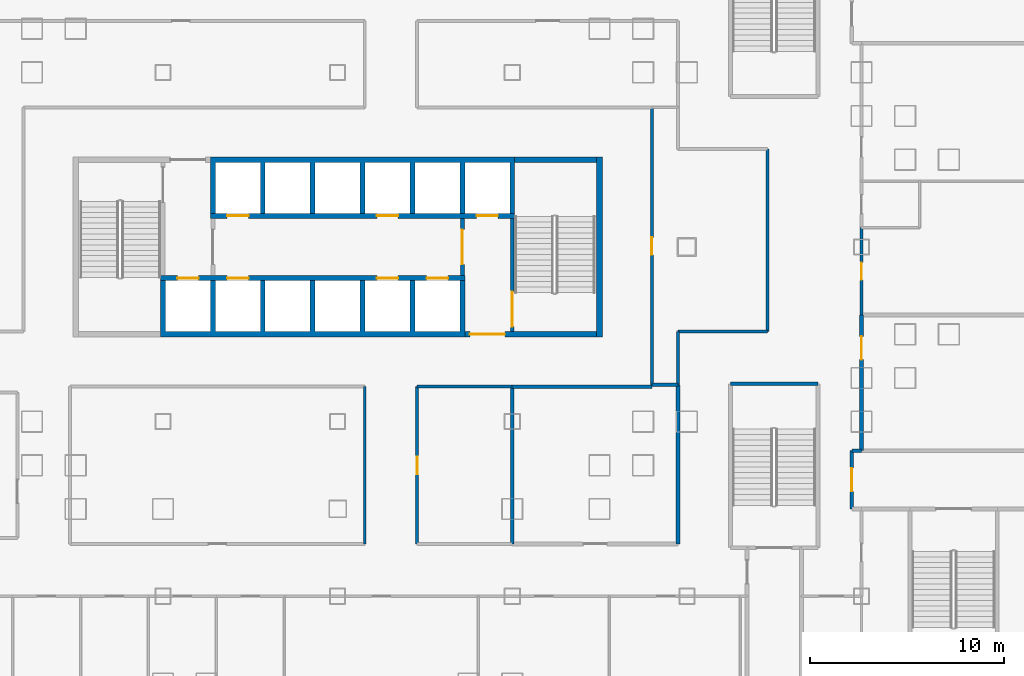
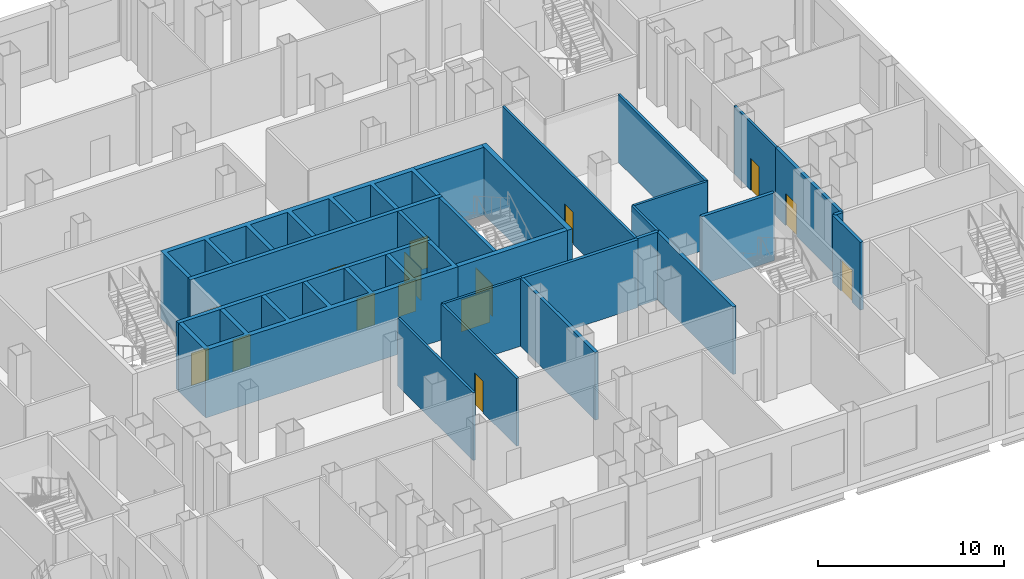
# One storey, part 5 of 23: 25 walls, 15 doors, 15 openings.
"""IFC4 building model written with IfcOpenShell, lengths in metres."""

from ifc_helpers import new_model, si_unit, direction, frame, frame_2d, origin, place, context, subcontext, project, spatial, polyline, rectangle, outline, extrude, material, layer, layer_set, type_object, element, fill, save


model = new_model("IFC4")

# Units and contexts
model_context = context("Model", 3, precision=1e-05, world=origin(), true_north=direction((0.0, 1.0)))
body_context = subcontext(model_context, "Body", "Model", "MODEL_VIEW")
ifc_project = project(units=[si_unit("LENGTHUNIT", "METRE"), si_unit("AREAUNIT", "SQUARE_METRE"), si_unit("VOLUMEUNIT", "CUBIC_METRE"), si_unit("PLANEANGLEUNIT", "RADIAN"), si_unit("MASSUNIT", "GRAM", prefix="KILO")], contexts=[model_context])

# Site, building, storey
site_placement = place(None, origin())
site = spatial("IfcSite", under=ifc_project, at=site_placement, CompositionType="ELEMENT")
building_placement = place(site_placement, origin())
building = spatial("IfcBuilding", under=site, at=building_placement, Name="Caravel Reach Hotel and Residences", CompositionType="ELEMENT")
storey_placement = place(building_placement, frame((0.0, 0.0, 24.0)))
storey = spatial("IfcBuildingStorey", under=building, at=storey_placement, Name="L04", CompositionType="ELEMENT", Elevation=24.0)

# Walls
ifc_material_1 = material(Name="Autoclaved aerated block wall")
ifc_layer_1 = layer(ifc_material_1, 0.199951171875)
ifc_layer_set_1 = layer_set([ifc_layer_1], Name="Compartment wall 200 mm EI 120")
wall_type_1 = type_object("IfcWallType", Name="Compartment wall 200 mm EI 120", PredefinedType="PARTITIONING", material=ifc_layer_set_1)
wall_1_placement = place(storey_placement, frame((58.0, 16.5, 0.0), z_axis=(0.0, 0.0, 1.0), x_axis=(1.0, 0.0, 0.0)))
element("IfcWall", 1, at=wall_1_placement, inside=storey, type_object=wall_type_1, Name="L04 wall w091", PredefinedType="PARTITIONING", context=body_context, shape_type="SweptSolid", body=[
    extrude(rectangle(XDim=0.5, YDim=0.199951171875, at=frame_2d((0.25, 0.0))), origin(), (0.0, 0.0, 1.0), 4.449951171875),
])
wall_2_placement = place(storey_placement, frame((40.5, 19.800048828125, 0.0), z_axis=(0.0, 0.0, 1.0), x_axis=(1.0, 0.0, 0.0)))
element("IfcWall", 2, at=wall_2_placement, inside=storey, type_object=wall_type_1, Name="L04 wall w093", PredefinedType="PARTITIONING", context=body_context, shape_type="SweptSolid", body=[
    extrude(rectangle(XDim=7.199951171875, YDim=0.199951171875, at=frame_2d((3.60009765625, 0.0))), origin(), (0.0, 0.0, 1.0), 4.449951171875),
])
wall_3_placement = place(storey_placement, frame((47.699951171875, 19.89990234375, 0.0), z_axis=(0.0, 0.0, 1.0), x_axis=(1.0, 0.0, 0.0)))
element("IfcWall", 3, at=wall_3_placement, inside=storey, type_object=wall_type_1, Name="L04 wall w094", PredefinedType="PARTITIONING", context=body_context, shape_type="SweptSolid", body=[
    extrude(rectangle(XDim=1.35009765625, YDim=0.199951171875, at=frame_2d((0.675048828125, 0.0))), origin(), (0.0, 0.0, 1.0), 4.449951171875),
])
wall_4_placement = place(storey_placement, frame((40.5, 11.699951171875, 0.0), z_axis=(0.0, 0.0, 1.0), x_axis=(0.0, 1.0, 0.0)))
element("IfcWall", 4, at=wall_4_placement, inside=storey, type_object=wall_type_1, Name="L04 wall w113", PredefinedType="PARTITIONING", context=body_context, shape_type="SweptSolid", body=[
    extrude(rectangle(XDim=8.10009765625, YDim=0.199951171875, at=frame_2d((4.050048828125, 0.0))), origin(), (0.0, 0.0, 1.0), 4.449951171875),
])
wall_5_placement = place(storey_placement, frame((49.050048828125, 11.699951171875, 0.0), z_axis=(0.0, 0.0, 1.0), x_axis=(0.0, 1.0, 0.0)))
element("IfcWall", 5, at=wall_5_placement, inside=storey, type_object=wall_type_1, Name="L04 wall w114", PredefinedType="PARTITIONING", context=body_context, shape_type="SweptSolid", body=[
    extrude(rectangle(XDim=8.199951171875, YDim=0.199951171875, at=frame_2d((4.10009765625, 0.0))), origin(), (0.0, 0.0, 1.0), 4.449951171875),
])

# Wall, opening, door
wall_6_placement = place(storey_placement, frame((58.0, 13.5, 0.0), z_axis=(0.0, 0.0, 1.0), x_axis=(0.0, 1.0, 0.0)))
wall_6 = element("IfcWall", 6, at=wall_6_placement, inside=storey, type_object=wall_type_1, Name="L04 wall w125", PredefinedType="PARTITIONING", context=body_context, shape_type="SweptSolid", body=[
    extrude(rectangle(XDim=3.0, YDim=0.199951171875, at=frame_2d((1.5, 0.0))), origin(), (0.0, 0.0, 1.0), 4.449951171875),
])
opening_1_placement = place(wall_6_placement, frame((0.89990234375, 0.0, 0.0)))
opening_1 = element("IfcOpeningElement", 7, at=opening_1_placement, cuts=wall_6, Name="Opening D04-026", PredefinedType="OPENING", context=body_context, shape_type="SweptSolid", body=[
    extrude(rectangle(XDim=1.199951171875, YDim=2.10009765625, at=frame_2d((0.60009765625, 1.050048828125))), frame((0.0, 0.10986328125, 0.0), z_axis=(0.0, -1.0, 0.0), x_axis=(1.0, 0.0, 0.0)), (0.0, 0.0, 1.0), 0.219970703125),
])
ifc_material_2 = material(Name="Steel fire door leaf", Category="steel")
door_type_1 = type_object("IfcDoorType", Name="Fire lobby door 1200 x 2100 EI 90", OperationType="SINGLE_SWING_LEFT", PredefinedType="DOOR", material=ifc_material_2)
door_1_placement = place(opening_1_placement, origin())
door_1 = element("IfcDoor", 8, at=door_1_placement, inside=storey, type_object=door_type_1, Name="door D04-026", OperationType="SINGLE_SWING_LEFT", OverallHeight=2.10009765625, OverallWidth=1.199951171875, PredefinedType="DOOR", context=body_context, shape_type="SweptSolid", body=[
    extrude(rectangle(XDim=1.199951171875, YDim=2.10009765625, at=frame_2d((0.60009765625, 1.050048828125))), frame((0.0, 0.02490234375, 0.0), z_axis=(0.0, -1.0, 0.0), x_axis=(1.0, 0.0, 0.0)), (0.0, 0.0, 1.0), 0.050048828125),
])
fill(opening_1, door_1)

wall_7_placement = place(storey_placement, frame((58.5, 16.5, 0.0), z_axis=(0.0, 0.0, 1.0), x_axis=(0.0, 1.0, 0.0)))
wall_7 = element("IfcWall", 9, at=wall_7_placement, inside=storey, type_object=wall_type_1, Name="L04 wall w126", PredefinedType="PARTITIONING", context=body_context, shape_type="SweptSolid", body=[
    extrude(rectangle(XDim=7.0, YDim=0.199951171875, at=frame_2d((3.5, 0.0))), origin(), (0.0, 0.0, 1.0), 4.449951171875),
])
opening_2_placement = place(wall_7_placement, frame((4.699951171875, 0.0, 0.0)))
opening_2 = element("IfcOpeningElement", 10, at=opening_2_placement, cuts=wall_7, Name="Opening D04-035", PredefinedType="OPENING", context=body_context, shape_type="SweptSolid", body=[
    extrude(rectangle(XDim=1.199951171875, YDim=2.10009765625, at=frame_2d((0.60009765625, 1.050048828125))), frame((0.0, 0.10986328125, 0.0), z_axis=(0.0, -1.0, 0.0), x_axis=(1.0, 0.0, 0.0)), (0.0, 0.0, 1.0), 0.219970703125),
])
ifc_material_3 = material(Name="Steel fire door leaf", Category="steel")
door_type_2 = type_object("IfcDoorType", Name="Plant room door 1200 x 2100 EI 60", OperationType="SINGLE_SWING_LEFT", PredefinedType="DOOR", material=ifc_material_3)
door_2_placement = place(opening_2_placement, origin())
door_2 = element("IfcDoor", 11, at=door_2_placement, inside=storey, type_object=door_type_2, Name="door D04-035", OperationType="SINGLE_SWING_RIGHT", OverallHeight=2.10009765625, OverallWidth=1.199951171875, PredefinedType="DOOR", context=body_context, shape_type="SweptSolid", body=[
    extrude(rectangle(XDim=1.199951171875, YDim=2.10009765625, at=frame_2d((0.60009765625, 1.050048828125))), frame((0.0, 0.02490234375, 0.0), z_axis=(0.0, -1.0, 0.0), x_axis=(1.0, 0.0, 0.0)), (0.0, 0.0, 1.0), 0.050048828125),
])
fill(opening_2, door_2)

ifc_material_4 = material(Name="Concrete C60", Category="concrete")
ifc_layer_2 = layer(ifc_material_4, 0.300048828125)
ifc_layer_set_2 = layer_set([ifc_layer_2], Name="Core wall 300 mm EI 120")
wall_type_2 = type_object("IfcWallType", Name="Core wall 300 mm EI 120", PredefinedType="SHEAR", material=ifc_layer_set_2)
wall_8_placement = place(storey_placement, frame((38.053466796875, 22.5, 0.0), z_axis=(0.0, 0.0, 1.0), x_axis=(1.0, 0.0, 0.0)))
wall_8 = element("IfcWall", 12, at=wall_8_placement, inside=storey, type_object=wall_type_2, Name="L04 core wall S2", PredefinedType="SHEAR", context=body_context, shape_type="SweptSolid", body=[
    extrude(rectangle(XDim=6.796630859375, YDim=0.300048828125, at=frame_2d((3.3984375, 0.0))), origin(), (0.0, 0.0, 1.0), 4.449951171875),
])
opening_3_placement = place(wall_8_placement, frame((0.2607421875, 0.0, 0.0)))
opening_3 = element("IfcOpeningElement", 13, at=opening_3_placement, cuts=wall_8, Name="Opening D04-013", PredefinedType="OPENING", context=body_context, shape_type="SweptSolid", body=[
    extrude(rectangle(XDim=1.800048828125, YDim=2.10009765625, at=frame_2d((0.89990234375, 1.050048828125))), frame((0.0, 0.159912109375, 0.0), z_axis=(0.0, -1.0, 0.0), x_axis=(1.0, 0.0, 0.0)), (0.0, 0.0, 1.0), 0.320068359375),
])
ifc_material_5 = material(Name="Steel fire door leaf", Category="steel")
door_type_3 = type_object("IfcDoorType", Name="Fire lobby door pair 1800 x 2100 EI 90", OperationType="DOUBLE_DOOR_SINGLE_SWING", PredefinedType="DOOR", material=ifc_material_5)
door_3_placement = place(opening_3_placement, origin())
door_3 = element("IfcDoor", 14, at=door_3_placement, inside=storey, type_object=door_type_3, Name="lobby S door pair to corridor", OperationType="DOUBLE_DOOR_SINGLE_SWING", OverallHeight=2.10009765625, OverallWidth=1.800048828125, PredefinedType="DOOR", context=body_context, shape_type="SweptSolid", body=[
    extrude(rectangle(XDim=1.800048828125, YDim=2.10009765625, at=frame_2d((0.89990234375, 1.050048828125))), frame((0.0, 0.02490234375, 0.0), z_axis=(0.0, -1.0, 0.0), x_axis=(1.0, 0.0, 0.0)), (0.0, 0.0, 1.0), 0.050048828125),
])
fill(opening_3, door_3)

# Walls
wall_9_placement = place(storey_placement, frame((40.625, 31.5, 0.0), z_axis=(0.0, 0.0, 1.0), x_axis=(1.0, 0.0, 0.0)))
element("IfcWall", 15, at=wall_9_placement, inside=storey, type_object=wall_type_2, Name="L04 core wall N2", PredefinedType="SHEAR", context=body_context, shape_type="SweptSolid", body=[
    extrude(rectangle(XDim=4.22509765625, YDim=0.300048828125, at=frame_2d((2.112548828125, 0.0))), origin(), (0.0, 0.0, 1.0), 4.449951171875),
])
wall_10_placement = place(storey_placement, frame((45.0, 22.35009765625, 0.0), z_axis=(0.0, 0.0, 1.0), x_axis=(0.0, 1.0, 0.0)))
element("IfcWall", 16, at=wall_10_placement, inside=storey, type_object=wall_type_2, Name="L04 core wall E", PredefinedType="SHEAR", context=body_context, shape_type="SweptSolid", body=[
    extrude(rectangle(XDim=9.2998046875, YDim=0.300048828125, at=frame_2d((4.64990234375, 0.0))), origin(), (0.0, 0.0, 1.0), 4.449951171875),
])
ifc_material_6 = material(Name="Gypsum board on steel stud, fire-rated", Category="steel")
ifc_layer_3 = layer(ifc_material_6, 0.14990234375)
ifc_layer_set_3 = layer_set([ifc_layer_3], Name="Corridor wall 150 mm EI 60")
wall_type_3 = type_object("IfcWallType", Name="Corridor wall 150 mm EI 60", PredefinedType="PARTITIONING", material=ifc_layer_set_3)
wall_11_placement = place(storey_placement, frame((35.60009765625, 19.800048828125, 0.0), z_axis=(0.0, 0.0, 1.0), x_axis=(1.0, 0.0, 0.0)))
element("IfcWall", 17, at=wall_11_placement, inside=storey, type_object=wall_type_3, Name="L04 wall w005", PredefinedType="PARTITIONING", context=body_context, shape_type="SweptSolid", body=[
    extrude(rectangle(XDim=4.89990234375, YDim=0.14990234375, at=frame_2d((2.449951171875, 0.0))), origin(), (0.0, 0.0, 1.0), 4.449951171875),
])
wall_12_placement = place(storey_placement, frame((49.050048828125, 22.64990234375, 0.0), z_axis=(0.0, 0.0, 1.0), x_axis=(1.0, 0.0, 0.0)))
element("IfcWall", 18, at=wall_12_placement, inside=storey, type_object=wall_type_3, Name="L04 wall w007", PredefinedType="PARTITIONING", context=body_context, shape_type="SweptSolid", body=[
    extrude(rectangle(XDim=4.599853515625, YDim=0.14990234375, at=frame_2d((2.2998046875, 0.0))), origin(), (0.0, 0.0, 1.0), 4.449951171875),
])
wall_13_placement = place(storey_placement, frame((32.89990234375, 11.699951171875, 0.0), z_axis=(0.0, 0.0, 1.0), x_axis=(0.0, 1.0, 0.0)))
element("IfcWall", 19, at=wall_13_placement, inside=storey, type_object=wall_type_3, Name="L04 wall w040", PredefinedType="PARTITIONING", context=body_context, shape_type="SweptSolid", body=[
    extrude(rectangle(XDim=8.10009765625, YDim=0.14990234375, at=frame_2d((4.050048828125, 0.0))), origin(), (0.0, 0.0, 1.0), 4.449951171875),
])

# Wall, opening, door
wall_14_placement = place(storey_placement, frame((35.60009765625, 11.699951171875, 0.0), z_axis=(0.0, 0.0, 1.0), x_axis=(0.0, 1.0, 0.0)))
wall_14 = element("IfcWall", 20, at=wall_14_placement, inside=storey, type_object=wall_type_3, Name="L04 wall w041", PredefinedType="PARTITIONING", context=body_context, shape_type="SweptSolid", body=[
    extrude(rectangle(XDim=8.10009765625, YDim=0.14990234375, at=frame_2d((4.050048828125, 0.0))), origin(), (0.0, 0.0, 1.0), 4.449951171875),
])
opening_4_placement = place(wall_14_placement, frame((3.60009765625, 0.0, 0.0)))
opening_4 = element("IfcOpeningElement", 21, at=opening_4_placement, cuts=wall_14, Name="Opening D04-058", PredefinedType="OPENING", context=body_context, shape_type="SweptSolid", body=[
    extrude(rectangle(XDim=0.89990234375, YDim=2.10009765625, at=frame_2d((0.449951171875, 1.050048828125))), frame((0.0, 0.0849609375, 0.0), z_axis=(0.0, -1.0, 0.0), x_axis=(1.0, 0.0, 0.0)), (0.0, 0.0, 1.0), 0.169921875),
])
ifc_material_7 = material(Name="Timber and steel door leaf", Category="steel")
door_type_4 = type_object("IfcDoorType", Name="Door 900 x 2100 timber", OperationType="SINGLE_SWING_LEFT", PredefinedType="DOOR", material=ifc_material_7)
door_4_placement = place(opening_4_placement, origin())
door_4 = element("IfcDoor", 22, at=door_4_placement, inside=storey, type_object=door_type_4, Name="door D04-058", OperationType="SINGLE_SWING_LEFT", OverallHeight=2.10009765625, OverallWidth=0.89990234375, PredefinedType="DOOR", context=body_context, shape_type="SweptSolid", body=[
    extrude(rectangle(XDim=0.89990234375, YDim=2.10009765625, at=frame_2d((0.449951171875, 1.050048828125))), frame((0.0, 0.02490234375, 0.0), z_axis=(0.0, -1.0, 0.0), x_axis=(1.0, 0.0, 0.0)), (0.0, 0.0, 1.0), 0.050048828125),
])
fill(opening_4, door_4)

wall_15_placement = place(storey_placement, frame((47.699951171875, 19.89990234375, 0.0), z_axis=(0.0, 0.0, 1.0), x_axis=(0.0, 1.0, 0.0)))
wall_15 = element("IfcWall", 23, at=wall_15_placement, inside=storey, type_object=wall_type_3, Name="L04 wall w049", PredefinedType="PARTITIONING", context=body_context, shape_type="SweptSolid", body=[
    extrude(rectangle(XDim=14.300048828125, YDim=0.14990234375, at=frame_2d((7.14990234375, 0.0))), origin(), (0.0, 0.0, 1.0), 4.449951171875),
])
opening_5_placement = place(wall_15_placement, frame((6.699951171875, 0.0, 0.0)))
opening_5 = element("IfcOpeningElement", 24, at=opening_5_placement, cuts=wall_15, Name="Opening D04-060", PredefinedType="OPENING", context=body_context, shape_type="SweptSolid", body=[
    extrude(rectangle(XDim=0.89990234375, YDim=2.10009765625, at=frame_2d((0.449951171875, 1.050048828125))), frame((0.0, 0.0849609375, 0.0), z_axis=(0.0, -1.0, 0.0), x_axis=(1.0, 0.0, 0.0)), (0.0, 0.0, 1.0), 0.169921875),
])
door_5_placement = place(opening_5_placement, origin())
door_5 = element("IfcDoor", 25, at=door_5_placement, inside=storey, type_object=door_type_4, Name="door D04-060", OperationType="SINGLE_SWING_RIGHT", OverallHeight=2.10009765625, OverallWidth=0.89990234375, PredefinedType="DOOR", context=body_context, shape_type="SweptSolid", body=[
    extrude(rectangle(XDim=0.89990234375, YDim=2.10009765625, at=frame_2d((0.449951171875, 1.050048828125))), frame((0.0, 0.02490234375, 0.0), z_axis=(0.0, -1.0, 0.0), x_axis=(1.0, 0.0, 0.0)), (0.0, 0.0, 1.0), 0.050048828125),
])
fill(opening_5, door_5)

# Walls
wall_16_placement = place(storey_placement, frame((49.050048828125, 19.89990234375, 0.0), z_axis=(0.0, 0.0, 1.0), x_axis=(0.0, 1.0, 0.0)))
element("IfcWall", 26, at=wall_16_placement, inside=storey, type_object=wall_type_3, Name="L04 wall w051", PredefinedType="PARTITIONING", context=body_context, shape_type="SweptSolid", body=[
    extrude(rectangle(XDim=2.75, YDim=0.14990234375, at=frame_2d((1.375, 0.0))), origin(), (0.0, 0.0, 1.0), 4.449951171875),
])
wall_17_placement = place(storey_placement, frame((53.64990234375, 22.64990234375, 0.0), z_axis=(0.0, 0.0, 1.0), x_axis=(0.0, 1.0, 0.0)))
element("IfcWall", 27, at=wall_17_placement, inside=storey, type_object=wall_type_3, Name="L04 wall w053", PredefinedType="PARTITIONING", context=body_context, shape_type="SweptSolid", body=[
    extrude(rectangle(XDim=9.400146484375, YDim=0.14990234375, at=frame_2d((4.7001953125, 0.0))), origin(), (0.0, 0.0, 1.0), 4.449951171875),
])

# Wall, opening, door
wall_18_placement = place(storey_placement, frame((58.5, 23.5, 0.0), z_axis=(0.0, 0.0, 1.0), x_axis=(0.0, 1.0, 0.0)))
wall_18 = element("IfcWall", 28, at=wall_18_placement, inside=storey, type_object=wall_type_3, Name="L04 wall w055", PredefinedType="PARTITIONING", context=body_context, shape_type="SweptSolid", body=[
    extrude(rectangle(XDim=4.5, YDim=0.14990234375, at=frame_2d((2.25, 0.0))), origin(), (0.0, 0.0, 1.0), 4.449951171875),
])
opening_6_placement = place(wall_18_placement, frame((1.800048828125, 0.0, 0.0)))
opening_6 = element("IfcOpeningElement", 29, at=opening_6_placement, cuts=wall_18, Name="Opening D04-036", PredefinedType="OPENING", context=body_context, shape_type="SweptSolid", body=[
    extrude(rectangle(XDim=0.89990234375, YDim=2.10009765625, at=frame_2d((0.449951171875, 1.050048828125))), frame((0.0, 0.0849609375, 0.0), z_axis=(0.0, -1.0, 0.0), x_axis=(1.0, 0.0, 0.0)), (0.0, 0.0, 1.0), 0.169921875),
])
door_6_placement = place(opening_6_placement, origin())
door_6 = element("IfcDoor", 30, at=door_6_placement, inside=storey, type_object=door_type_4, Name="door D04-036", OperationType="SINGLE_SWING_RIGHT", OverallHeight=2.10009765625, OverallWidth=0.89990234375, PredefinedType="DOOR", context=body_context, shape_type="SweptSolid", body=[
    extrude(rectangle(XDim=0.89990234375, YDim=2.10009765625, at=frame_2d((0.449951171875, 1.050048828125))), frame((0.0, 0.02490234375, 0.0), z_axis=(0.0, -1.0, 0.0), x_axis=(1.0, 0.0, 0.0)), (0.0, 0.0, 1.0), 0.050048828125),
])
fill(opening_6, door_6)

ifc_material_8 = material(Name="Autoclaved aerated block wall")
ifc_layer_4 = layer(ifc_material_8, 0.199951171875)
ifc_layer_set_4 = layer_set([ifc_layer_4], Name="Fire lobby wall 200 mm EI 120")
wall_type_4 = type_object("IfcWallType", Name="Fire lobby wall 200 mm EI 120", PredefinedType="PARTITIONING", material=ifc_layer_set_4)
wall_19_placement = place(storey_placement, frame((37.928466796875, 25.52490234375, 0.0), z_axis=(0.0, 0.0, 1.0), x_axis=(0.0, 1.0, 0.0)))
wall_19 = element("IfcWall", 31, at=wall_19_placement, inside=storey, type_object=wall_type_4, Name="L04 lobby E wall", PredefinedType="PARTITIONING", context=body_context, shape_type="SweptSolid", body=[
    extrude(rectangle(XDim=2.9501953125, YDim=0.199951171875, at=frame_2d((1.47509765625, 0.0))), origin(), (0.0, 0.0, 1.0), 4.449951171875),
])
opening_7_placement = place(wall_19_placement, frame((0.574951171875, 0.0, 0.0)))
opening_7 = element("IfcOpeningElement", 32, at=opening_7_placement, cuts=wall_19, Name="Opening D04-011", PredefinedType="OPENING", context=body_context, shape_type="SweptSolid", body=[
    extrude(rectangle(XDim=1.800048828125, YDim=2.10009765625, at=frame_2d((0.89990234375, 1.050048828125))), frame((0.0, 0.10986328125, 0.0), z_axis=(0.0, -1.0, 0.0), x_axis=(1.0, 0.0, 0.0)), (0.0, 0.0, 1.0), 0.219970703125),
])
door_7_placement = place(opening_7_placement, origin())
door_7 = element("IfcDoor", 33, at=door_7_placement, inside=storey, type_object=door_type_3, Name="lobby E door pair", OperationType="DOUBLE_DOOR_SINGLE_SWING", OverallHeight=2.10009765625, OverallWidth=1.800048828125, PredefinedType="DOOR", context=body_context, shape_type="SweptSolid", body=[
    extrude(rectangle(XDim=1.800048828125, YDim=2.10009765625, at=frame_2d((0.89990234375, 1.050048828125))), frame((0.0, 0.02490234375, 0.0), z_axis=(0.0, -1.0, 0.0), x_axis=(1.0, 0.0, 0.0)), (0.0, 0.0, 1.0), 0.050048828125),
])
fill(opening_7, door_7)

# Walls
ifc_material_9 = material(Name="Concrete C60", Category="concrete")
ifc_layer_5 = layer(ifc_material_9, 0.25)
ifc_layer_set_5 = layer_set([ifc_layer_5], Name="Shaft wall 250 mm EI 120")
wall_type_5 = type_object("IfcWallType", Name="Shaft wall 250 mm EI 120", PredefinedType="SHEAR", material=ifc_layer_set_5)
wall_20_placement = place(storey_placement, origin())
element("IfcWall", 34, at=wall_20_placement, inside=storey, type_object=wall_type_5, Name="L04 lift shaft wall S1", PredefinedType="SHEAR", context=body_context, shape_type="SweptSolid", body=[
    extrude(outline(polyline([(22.375, 22.35009765625), (38.053466796875, 22.35009765625), (38.053466796875, 25.27490234375), (37.803466796875, 25.27490234375), (37.803466796875, 22.64990234375), (35.482177734375, 22.64990234375), (35.482177734375, 25.27490234375), (35.232177734375, 25.27490234375), (35.232177734375, 22.64990234375), (32.91064453125, 22.64990234375), (32.91064453125, 25.27490234375), (32.66064453125, 25.27490234375), (32.66064453125, 22.64990234375), (30.33935546875, 22.64990234375), (30.33935546875, 25.27490234375), (30.08935546875, 25.27490234375), (30.08935546875, 22.64990234375), (27.767822265625, 22.64990234375), (27.767822265625, 25.27490234375), (27.517822265625, 25.27490234375), (27.517822265625, 22.64990234375), (25.196533203125, 22.64990234375), (25.196533203125, 25.27490234375), (24.946533203125, 25.27490234375), (24.946533203125, 22.64990234375), (22.625, 22.64990234375), (22.625, 25.27490234375), (22.375, 25.27490234375), (22.375, 22.35009765625)])), origin(), (0.0, 0.0, 1.0), 4.449951171875),
])
wall_21_placement = place(storey_placement, origin())
element("IfcWall", 35, at=wall_21_placement, inside=storey, type_object=wall_type_5, Name="L04 lift shaft wall N1", PredefinedType="SHEAR", context=body_context, shape_type="SweptSolid", body=[
    extrude(outline(polyline([(24.946533203125, 28.72509765625), (25.196533203125, 28.72509765625), (25.196533203125, 31.35009765625), (27.517822265625, 31.35009765625), (27.517822265625, 28.72509765625), (27.767822265625, 28.72509765625), (27.767822265625, 31.35009765625), (30.08935546875, 31.35009765625), (30.08935546875, 28.72509765625), (30.33935546875, 28.72509765625), (30.33935546875, 31.35009765625), (32.66064453125, 31.35009765625), (32.66064453125, 28.72509765625), (32.91064453125, 28.72509765625), (32.91064453125, 31.35009765625), (35.232177734375, 31.35009765625), (35.232177734375, 28.72509765625), (35.482177734375, 28.72509765625), (35.482177734375, 31.35009765625), (37.803466796875, 31.35009765625), (37.803466796875, 28.72509765625), (38.053466796875, 28.72509765625), (38.053466796875, 31.35009765625), (40.375, 31.35009765625), (40.375, 28.72509765625), (40.625, 28.72509765625), (40.625, 31.64990234375), (24.946533203125, 31.64990234375), (24.946533203125, 28.72509765625)])), origin(), (0.0, 0.0, 1.0), 4.449951171875),
])

# Wall, openings, doors
wall_22_placement = place(storey_placement, frame((22.375, 25.39990234375, 0.0), z_axis=(0.0, 0.0, 1.0), x_axis=(1.0, 0.0, 0.0)))
wall_22 = element("IfcWall", 36, at=wall_22_placement, inside=storey, type_object=wall_type_5, Name="L04 lobby wall S1", PredefinedType="SHEAR", context=body_context, shape_type="SweptSolid", body=[
    extrude(rectangle(XDim=15.678466796875, YDim=0.25, at=frame_2d((7.83935546875, 0.0))), origin(), (0.0, 0.0, 1.0), 4.449951171875),
])
opening_8_placement = place(wall_22_placement, frame((3.43212890625, 0.0, 0.0)))
opening_8 = element("IfcOpeningElement", 37, at=opening_8_placement, cuts=wall_22, Name="Opening D04-001", PredefinedType="OPENING", context=body_context, shape_type="SweptSolid", body=[
    extrude(rectangle(XDim=1.10009765625, YDim=2.10009765625, at=frame_2d((0.550048828125, 1.050048828125))), frame((0.0, 0.135009765625, 0.0), z_axis=(0.0, -1.0, 0.0), x_axis=(1.0, 0.0, 0.0)), (0.0, 0.0, 1.0), 0.27001953125),
])
opening_9_placement = place(wall_22_placement, frame((11.146484375, 0.0, 0.0)))
opening_9 = element("IfcOpeningElement", 38, at=opening_9_placement, cuts=wall_22, Name="Opening D04-002", PredefinedType="OPENING", context=body_context, shape_type="SweptSolid", body=[
    extrude(rectangle(XDim=1.10009765625, YDim=2.10009765625, at=frame_2d((0.550048828125, 1.050048828125))), frame((0.0, 0.135009765625, 0.0), z_axis=(0.0, -1.0, 0.0), x_axis=(1.0, 0.0, 0.0)), (0.0, 0.0, 1.0), 0.27001953125),
])
opening_10_placement = place(wall_22_placement, frame((13.718017578125, 0.0, 0.0)))
opening_10 = element("IfcOpeningElement", 39, at=opening_10_placement, cuts=wall_22, Name="Opening D04-003", PredefinedType="OPENING", context=body_context, shape_type="SweptSolid", body=[
    extrude(rectangle(XDim=1.10009765625, YDim=2.10009765625, at=frame_2d((0.550048828125, 1.050048828125))), frame((0.0, 0.135009765625, 0.0), z_axis=(0.0, -1.0, 0.0), x_axis=(1.0, 0.0, 0.0)), (0.0, 0.0, 1.0), 0.27001953125),
])
opening_11_placement = place(wall_22_placement, frame((0.860595703125, 0.0, 0.0)))
opening_11 = element("IfcOpeningElement", 40, at=opening_11_placement, cuts=wall_22, Name="Opening D04-006", PredefinedType="OPENING", context=body_context, shape_type="SweptSolid", body=[
    extrude(rectangle(XDim=1.10009765625, YDim=2.10009765625, at=frame_2d((0.550048828125, 1.050048828125))), frame((0.0, 0.135009765625, 0.0), z_axis=(0.0, -1.0, 0.0), x_axis=(1.0, 0.0, 0.0)), (0.0, 0.0, 1.0), 0.27001953125),
])
ifc_material_10 = material(Name="Stainless steel landing door", Category="steel")
door_type_5 = type_object("IfcDoorType", Name="Landing door LD 1100 x 2100 sliding", OperationType="DOUBLE_DOOR_SLIDING", PredefinedType="DOOR", material=ifc_material_10)
door_8_placement = place(opening_8_placement, origin())
door_8 = element("IfcDoor", 41, at=door_8_placement, inside=storey, type_object=door_type_5, Name="LP1 landing door", OperationType="DOUBLE_DOOR_SLIDING", OverallHeight=2.10009765625, OverallWidth=1.10009765625, PredefinedType="DOOR", context=body_context, shape_type="SweptSolid", body=[
    extrude(rectangle(XDim=1.10009765625, YDim=2.10009765625, at=frame_2d((0.550048828125, 1.050048828125))), frame((0.0, 0.02490234375, 0.0), z_axis=(0.0, -1.0, 0.0), x_axis=(1.0, 0.0, 0.0)), (0.0, 0.0, 1.0), 0.050048828125),
])
fill(opening_8, door_8)
door_9_placement = place(opening_9_placement, origin())
door_9 = element("IfcDoor", 42, at=door_9_placement, inside=storey, type_object=door_type_5, Name="LP2 landing door", OperationType="DOUBLE_DOOR_SLIDING", OverallHeight=2.10009765625, OverallWidth=1.10009765625, PredefinedType="DOOR", context=body_context, shape_type="SweptSolid", body=[
    extrude(rectangle(XDim=1.10009765625, YDim=2.10009765625, at=frame_2d((0.550048828125, 1.050048828125))), frame((0.0, 0.02490234375, 0.0), z_axis=(0.0, -1.0, 0.0), x_axis=(1.0, 0.0, 0.0)), (0.0, 0.0, 1.0), 0.050048828125),
])
fill(opening_9, door_9)
door_10_placement = place(opening_10_placement, origin())
door_10 = element("IfcDoor", 43, at=door_10_placement, inside=storey, type_object=door_type_5, Name="LP3 landing door", OperationType="DOUBLE_DOOR_SLIDING", OverallHeight=2.10009765625, OverallWidth=1.10009765625, PredefinedType="DOOR", context=body_context, shape_type="SweptSolid", body=[
    extrude(rectangle(XDim=1.10009765625, YDim=2.10009765625, at=frame_2d((0.550048828125, 1.050048828125))), frame((0.0, 0.02490234375, 0.0), z_axis=(0.0, -1.0, 0.0), x_axis=(1.0, 0.0, 0.0)), (0.0, 0.0, 1.0), 0.050048828125),
])
fill(opening_10, door_10)
door_11_placement = place(opening_11_placement, origin())
door_11 = element("IfcDoor", 44, at=door_11_placement, inside=storey, type_object=door_type_5, Name="FL1 landing door", OperationType="DOUBLE_DOOR_SLIDING", OverallHeight=2.10009765625, OverallWidth=1.10009765625, PredefinedType="DOOR", context=body_context, shape_type="SweptSolid", body=[
    extrude(rectangle(XDim=1.10009765625, YDim=2.10009765625, at=frame_2d((0.550048828125, 1.050048828125))), frame((0.0, 0.02490234375, 0.0), z_axis=(0.0, -1.0, 0.0), x_axis=(1.0, 0.0, 0.0)), (0.0, 0.0, 1.0), 0.050048828125),
])
fill(opening_11, door_11)

wall_23_placement = place(storey_placement, frame((24.946533203125, 28.60009765625, 0.0), z_axis=(0.0, 0.0, 1.0), x_axis=(1.0, 0.0, 0.0)))
wall_23 = element("IfcWall", 45, at=wall_23_placement, inside=storey, type_object=wall_type_5, Name="L04 lobby wall N1", PredefinedType="SHEAR", context=body_context, shape_type="SweptSolid", body=[
    extrude(rectangle(XDim=15.678466796875, YDim=0.25, at=frame_2d((7.83935546875, 0.0))), origin(), (0.0, 0.0, 1.0), 4.449951171875),
])
opening_12_placement = place(wall_23_placement, frame((0.860595703125, 0.0, 0.0)))
opening_12 = element("IfcOpeningElement", 46, at=opening_12_placement, cuts=wall_23, Name="Opening D04-004", PredefinedType="OPENING", context=body_context, shape_type="SweptSolid", body=[
    extrude(rectangle(XDim=1.10009765625, YDim=2.10009765625, at=frame_2d((0.550048828125, 1.050048828125))), frame((0.0, 0.135009765625, 0.0), z_axis=(0.0, -1.0, 0.0), x_axis=(1.0, 0.0, 0.0)), (0.0, 0.0, 1.0), 0.27001953125),
])
opening_13_placement = place(wall_23_placement, frame((8.574951171875, 0.0, 0.0)))
opening_13 = element("IfcOpeningElement", 47, at=opening_13_placement, cuts=wall_23, Name="Opening D04-005", PredefinedType="OPENING", context=body_context, shape_type="SweptSolid", body=[
    extrude(rectangle(XDim=1.10009765625, YDim=2.10009765625, at=frame_2d((0.550048828125, 1.050048828125))), frame((0.0, 0.135009765625, 0.0), z_axis=(0.0, -1.0, 0.0), x_axis=(1.0, 0.0, 0.0)), (0.0, 0.0, 1.0), 0.27001953125),
])
opening_14_placement = place(wall_23_placement, frame((13.718017578125, 0.0, 0.0)))
opening_14 = element("IfcOpeningElement", 48, at=opening_14_placement, cuts=wall_23, Name="Opening D04-007", PredefinedType="OPENING", context=body_context, shape_type="SweptSolid", body=[
    extrude(rectangle(XDim=1.10009765625, YDim=2.10009765625, at=frame_2d((0.550048828125, 1.050048828125))), frame((0.0, 0.135009765625, 0.0), z_axis=(0.0, -1.0, 0.0), x_axis=(1.0, 0.0, 0.0)), (0.0, 0.0, 1.0), 0.27001953125),
])
door_12_placement = place(opening_12_placement, origin())
door_12 = element("IfcDoor", 49, at=door_12_placement, inside=storey, type_object=door_type_5, Name="LP4 landing door", OperationType="DOUBLE_DOOR_SLIDING", OverallHeight=2.10009765625, OverallWidth=1.10009765625, PredefinedType="DOOR", context=body_context, shape_type="SweptSolid", body=[
    extrude(rectangle(XDim=1.10009765625, YDim=2.10009765625, at=frame_2d((0.550048828125, 1.050048828125))), frame((0.0, 0.02490234375, 0.0), z_axis=(0.0, -1.0, 0.0), x_axis=(1.0, 0.0, 0.0)), (0.0, 0.0, 1.0), 0.050048828125),
])
fill(opening_12, door_12)
door_13_placement = place(opening_13_placement, origin())
door_13 = element("IfcDoor", 50, at=door_13_placement, inside=storey, type_object=door_type_5, Name="LP5 landing door", OperationType="DOUBLE_DOOR_SLIDING", OverallHeight=2.10009765625, OverallWidth=1.10009765625, PredefinedType="DOOR", context=body_context, shape_type="SweptSolid", body=[
    extrude(rectangle(XDim=1.10009765625, YDim=2.10009765625, at=frame_2d((0.550048828125, 1.050048828125))), frame((0.0, 0.02490234375, 0.0), z_axis=(0.0, -1.0, 0.0), x_axis=(1.0, 0.0, 0.0)), (0.0, 0.0, 1.0), 0.050048828125),
])
fill(opening_13, door_13)
door_14_placement = place(opening_14_placement, origin())
door_14 = element("IfcDoor", 51, at=door_14_placement, inside=storey, type_object=door_type_5, Name="FL2 landing door", OperationType="DOUBLE_DOOR_SLIDING", OverallHeight=2.10009765625, OverallWidth=1.10009765625, PredefinedType="DOOR", context=body_context, shape_type="SweptSolid", body=[
    extrude(rectangle(XDim=1.10009765625, YDim=2.10009765625, at=frame_2d((0.550048828125, 1.050048828125))), frame((0.0, 0.02490234375, 0.0), z_axis=(0.0, -1.0, 0.0), x_axis=(1.0, 0.0, 0.0)), (0.0, 0.0, 1.0), 0.050048828125),
])
fill(opening_14, door_14)

# Wall, opening, door
ifc_material_11 = material(Name="Concrete C60", Category="concrete")
ifc_layer_6 = layer(ifc_material_11, 0.199951171875)
ifc_layer_set_6 = layer_set([ifc_layer_6], Name="Stair enclosure wall 200 mm EI 120")
wall_type_6 = type_object("IfcWallType", Name="Stair enclosure wall 200 mm EI 120", PredefinedType="SHEAR", material=ifc_layer_set_6)
wall_24_placement = place(storey_placement, frame((40.5, 22.64990234375, 0.0), z_axis=(0.0, 0.0, 1.0), x_axis=(0.0, 1.0, 0.0)))
wall_24 = element("IfcWall", 52, at=wall_24_placement, inside=storey, type_object=wall_type_6, Name="L04 stair B wall", PredefinedType="SHEAR", context=body_context, shape_type="SweptSolid", body=[
    extrude(rectangle(XDim=5.8251953125, YDim=0.199951171875, at=frame_2d((2.91259765625, 0.0))), origin(), (0.0, 0.0, 1.0), 4.449951171875),
])
opening_15_placement = place(wall_24_placement, frame((0.25, 0.0, 0.0)))
opening_15 = element("IfcOpeningElement", 53, at=opening_15_placement, cuts=wall_24, Name="Opening D04-009", PredefinedType="OPENING", context=body_context, shape_type="SweptSolid", body=[
    extrude(rectangle(XDim=1.800048828125, YDim=2.10009765625, at=frame_2d((0.89990234375, 1.050048828125))), frame((0.0, 0.10986328125, 0.0), z_axis=(0.0, -1.0, 0.0), x_axis=(1.0, 0.0, 0.0)), (0.0, 0.0, 1.0), 0.219970703125),
])
ifc_material_12 = material(Name="Steel fire door leaf", Category="steel")
door_type_6 = type_object("IfcDoorType", Name="Stair door pair 1800 x 2100 EI 90", OperationType="DOUBLE_DOOR_SINGLE_SWING", PredefinedType="DOOR", material=ifc_material_12)
door_15_placement = place(opening_15_placement, origin())
door_15 = element("IfcDoor", 54, at=door_15_placement, inside=storey, type_object=door_type_6, Name="stair B door pair", OperationType="DOUBLE_DOOR_SINGLE_SWING", OverallHeight=2.10009765625, OverallWidth=1.800048828125, PredefinedType="DOOR", context=body_context, shape_type="SweptSolid", body=[
    extrude(rectangle(XDim=1.800048828125, YDim=2.10009765625, at=frame_2d((0.89990234375, 1.050048828125))), frame((0.0, 0.02490234375, 0.0), z_axis=(0.0, -1.0, 0.0), x_axis=(1.0, 0.0, 0.0)), (0.0, 0.0, 1.0), 0.050048828125),
])
fill(opening_15, door_15)

# Wall
wall_25_placement = place(storey_placement, frame((51.75, 19.949951171875, 0.0), z_axis=(0.0, 0.0, 1.0), x_axis=(1.0, 0.0, 0.0)))
element("IfcWall", 55, at=wall_25_placement, inside=storey, type_object=wall_type_6, Name="L04 wall w139", PredefinedType="SHEAR", context=body_context, shape_type="SweptSolid", body=[
    extrude(rectangle(XDim=4.5, YDim=0.199951171875, at=frame_2d((2.25, 0.0))), origin(), (0.0, 0.0, 1.0), 4.449951171875),
])

save(model, "model.ifc")
